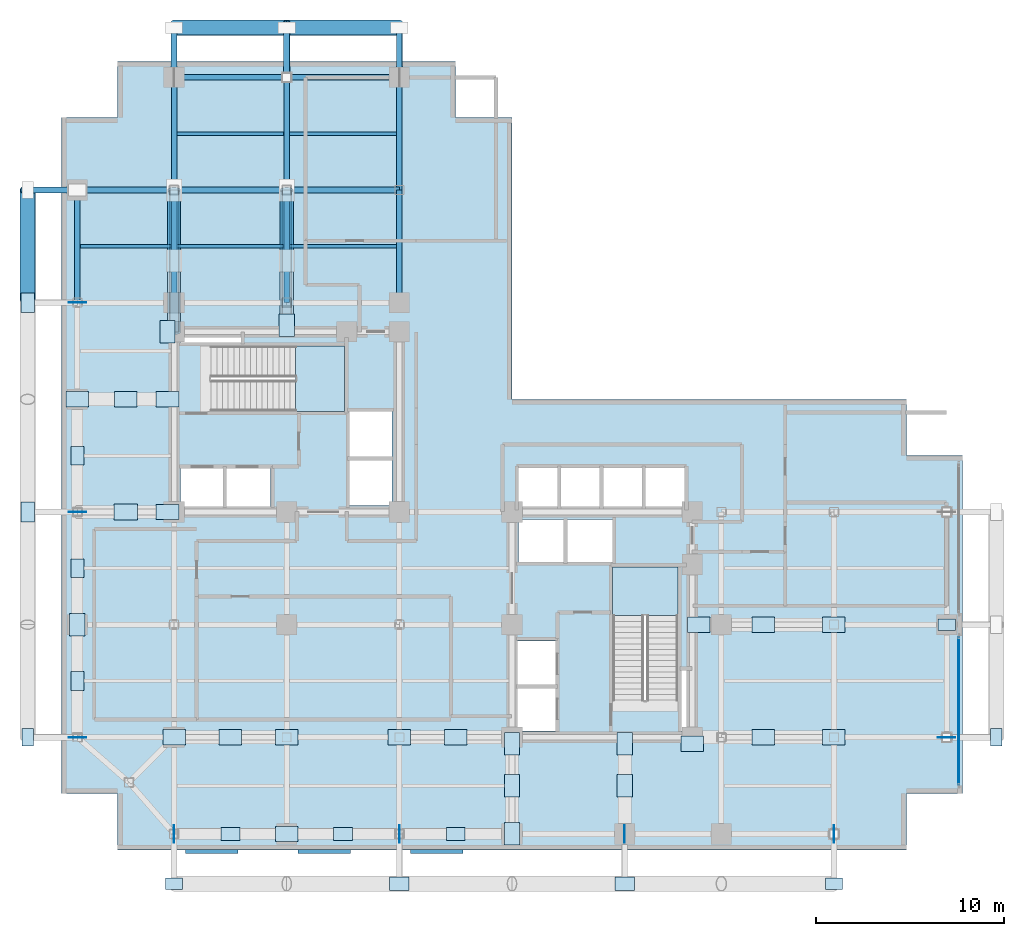
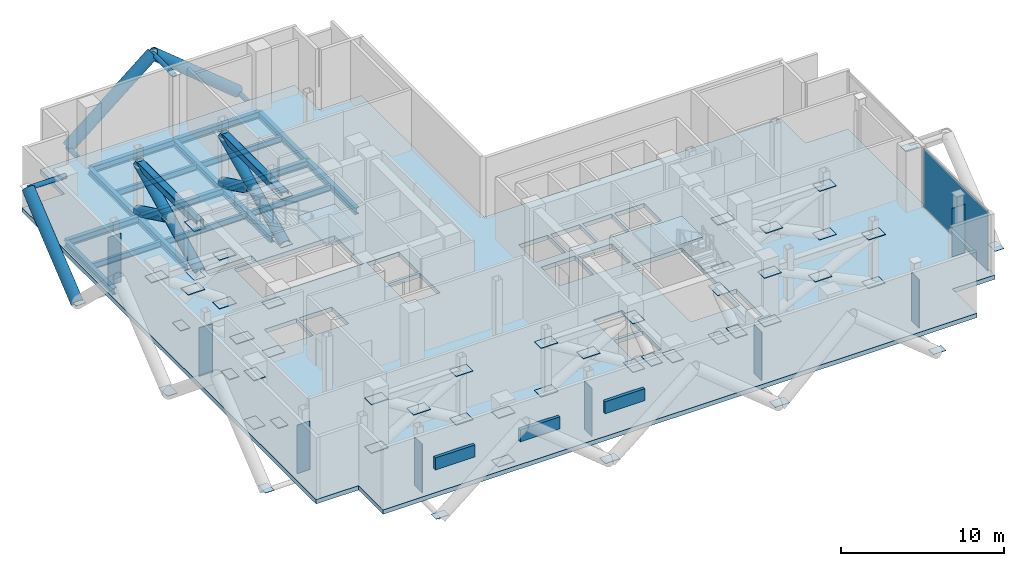
# One storey, part 5 of 9: 67 plates, 17 beams, 13 members, 3 slabs, 3 elements without a shape of their own.
"""IFC4 building model written with IfcOpenShell, lengths in metres."""

from ifc_helpers import new_model, si_unit, direction, frame, origin, origin_2d, place, context, subcontext, project, spatial, polyline, rectangle, hollow_rectangle, hollow_circle, i_section, outline, extrude, material, layer, layer_set, material_profile, profile_set, type_object, element, aggregate, save


model = new_model("IFC4")

# Units and contexts
model_context = context("Model", 3, precision=1e-05, world=origin(), true_north=direction((0.0, 1.0)))
body_context = subcontext(model_context, "Body", "Model", "MODEL_VIEW")
ifc_project = project(units=[si_unit("LENGTHUNIT", "METRE"), si_unit("AREAUNIT", "SQUARE_METRE"), si_unit("VOLUMEUNIT", "CUBIC_METRE"), si_unit("PLANEANGLEUNIT", "RADIAN"), si_unit("MASSUNIT", "GRAM", prefix="KILO"), si_unit("THERMODYNAMICTEMPERATUREUNIT", "KELVIN"), si_unit("POWERUNIT", "WATT")], contexts=[model_context])

# Site, building, storey
site_placement = place(None, origin())
site = spatial("IfcSite", under=ifc_project, at=site_placement, CompositionType="ELEMENT")
building_placement = place(site_placement, origin())
building = spatial("IfcBuilding", under=site, at=building_placement, Name="Svarakhadi Broadcast Tower", CompositionType="ELEMENT")
storey_placement = place(building_placement, frame((0.0, 0.0, 164.39990234375)))
storey = spatial("IfcBuildingStorey", under=building, at=storey_placement, Name="L40", CompositionType="ELEMENT", Elevation=164.39990234375)

# Beams
ifc_material_1 = material(Name="Steel S355J2 (IS 2062 E350C)", Category="steel")
ifc_material_profile_1 = material_profile(ifc_material_1, i_section(OverallWidth=0.18994140625, OverallDepth=0.449951171875, WebThickness=0.009521484375, FlangeThickness=0.0146484375, FilletRadius=0.02099609375, at=origin_2d()), Name="NPB 450x190x78")
ifc_profile_set_1 = profile_set([ifc_material_profile_1], Name="Steel S355J2 (IS 2062 E350C)")
beam_type_1 = type_object("IfcBeamType", Name="Beam_NPB450", PredefinedType="BEAM", material=ifc_profile_set_1)
beam_1_placement = place(storey_placement, frame((1.010009765625, 32.14990234375, -0.5498046875), z_axis=(1.0, 0.0, 0.0), x_axis=(0.0, 1.0, 0.0)))
element("IfcBeam", 1, at=beam_1_placement, inside=storey, type_object=beam_type_1, Name="L40 Secondary Composite Beam SB005", PredefinedType="BEAM", context=body_context, shape_type="SweptSolid", body=[
    extrude(i_section(OverallWidth=0.18994140625, OverallDepth=0.449951171875, WebThickness=0.009521484375, FlangeThickness=0.0146484375, FilletRadius=0.02099609375, at=origin_2d()), origin(), (0.0, 0.0, 1.0), 4.830078125),
])
for number, where, z_axis, x_axis, name in (
    (2, (6.159912109375, 32.14990234375, -0.5498046875), (1.0, 0.0, 0.0), (0.0, 1.0, 0.0), "L40 Secondary Composite Beam SB009"),
    (3, (6.159912109375, 38.14990234375, -0.5498046875), (1.0, 0.0, 0.0), (0.0, 1.0, 0.0), "L40 Secondary Composite Beam SB010"),
    (4, (12.159912109375, 32.14990234375, -0.5498046875), (1.0, 0.0, 0.0), (0.0, 1.0, 0.0), "L40 Secondary Composite Beam SB014"),
    (5, (12.159912109375, 38.14990234375, -0.5498046875), (1.0, 0.0, 0.0), (0.0, 1.0, 0.0), "L40 Secondary Composite Beam SB015"),
):
    element("IfcBeam", number, at=place(storey_placement, frame(where, z_axis=z_axis, x_axis=x_axis)), inside=storey, type_object=beam_type_1, Name=name, PredefinedType="BEAM", context=body_context, shape_type="SweptSolid", body=[
        extrude(i_section(OverallWidth=0.18994140625, OverallDepth=0.449951171875, WebThickness=0.009521484375, FlangeThickness=0.0146484375, FilletRadius=0.02099609375, at=origin_2d()), origin(), (0.0, 0.0, 1.0), 5.68017578125),
    ])

# Members
ifc_material_2 = material(Name="Steel S460ML (IS 2062 E450BR)", Category="steel")
ifc_material_profile_2 = material_profile(ifc_material_2, hollow_circle(Radius=0.406494140625, WallThickness=0.0400390625, at=origin_2d()), Name="CHS 813x40")
ifc_profile_set_2 = profile_set([ifc_material_profile_2], Name="Steel S460ML (IS 2062 E450BR)")
member_type_1 = type_object("IfcMemberType", Name="Exo_Brace_CHS813", PredefinedType="BRACE", material=ifc_profile_set_2)
for number, where, z_axis, x_axis, name in (
    (6, (-1.800048828125, 29.14990234375, -0.48681640625), (0.0, 0.773581307551, 0.633697057439), (-1.0, 0.0, 0.0), "L40 Exposed Bronze Exoskeleton Diagonal W11"),
    (7, (6.0, 43.800048828125, -0.48681640625), (0.773581307551, 0.0, 0.633697057439), (0.0, 1.0, 0.0), "L40 Exposed Bronze Exoskeleton Diagonal N14"),
    (8, (18.0, 43.800048828125, -0.48681640625), (-0.773581307551, 0.0, 0.633697057439), (0.0, -1.0, 0.0), "L40 Exposed Bronze Exoskeleton Diagonal N15"),
):
    element("IfcMember", number, at=place(storey_placement, frame(where, z_axis=z_axis, x_axis=x_axis)), inside=storey, type_object=member_type_1, Name=name, PredefinedType="BRACE", context=body_context, shape_type="SweptSolid", body=[
        extrude(hollow_circle(Radius=0.406494140625, WallThickness=0.0400390625, at=origin_2d()), origin(), (0.0, 0.0, 1.0), 7.756103515625),
    ])
ifc_material_profile_3 = material_profile(ifc_material_2, hollow_circle(Radius=0.161865234375, WallThickness=0.01611328125, at=origin_2d()), Name="CHS 323.9x16")
ifc_profile_set_3 = profile_set([ifc_material_profile_3], Name="Steel S460ML (IS 2062 E450BR)")
member_type_2 = type_object("IfcMemberType", Name="Exo_Radial_Strut_Z2", PredefinedType="STRUT", material=ifc_profile_set_3)
for number, where, z_axis, x_axis, name in (
    (9, (-1.800048828125, 35.14990234375, 4.42822265625), (1.0, 0.0, 0.0), (0.0, 1.0, 0.0), "L40 Exoskeleton Setback Top Radial Tie W05"),
    (10, (6.0, 43.800048828125, -0.48681640625), (0.0, -1.0, 0.0), (1.0, 0.0, 0.0), "L40 Exoskeleton Radial Tie Strut N10"),
    (11, (18.0, 43.800048828125, -0.48681640625), (0.0, -1.0, 0.0), (1.0, 0.0, 0.0), "L40 Exoskeleton Radial Tie Strut N11"),
    (12, (12.0, 43.800048828125, 4.42822265625), (0.0, -1.0, 0.0), (1.0, 0.0, 0.0), "L40 Exoskeleton Setback Top Radial Tie N01"),
):
    element("IfcMember", number, at=place(storey_placement, frame(where, z_axis=z_axis, x_axis=x_axis)), inside=storey, type_object=member_type_2, Name=name, PredefinedType="STRUT", context=body_context, shape_type="SweptSolid", body=[
        extrude(hollow_circle(Radius=0.161865234375, WallThickness=0.01611328125, at=origin_2d()), origin(), (0.0, 0.0, 1.0), 2.650146484375),
    ])

# Beams
ifc_material_profile_4 = material_profile(ifc_material_1, i_section(OverallWidth=0.300048828125, OverallDepth=0.5, WebThickness=0.014404296875, FlangeThickness=0.028076171875, FilletRadius=0.027099609375, at=origin_2d()), Name="WPB 500x300x187")
ifc_profile_set_4 = profile_set([ifc_material_profile_4], Name="Steel S355J2 (IS 2062 E350C)")
beam_type_2 = type_object("IfcBeamType", Name="Girder_WPB500", PredefinedType="USERDEFINED", material=ifc_profile_set_4)
beam_2_placement = place(storey_placement, frame((0.85009765625, 35.14990234375, -0.574951171875), z_axis=(1.0, 0.0, 0.0), x_axis=(0.0, 1.0, 0.0)))
element("IfcBeam", 13, at=beam_2_placement, inside=storey, type_object=beam_type_2, Name="L40 Primary E-W Girder G035", ObjectType="GIRDER", PredefinedType="USERDEFINED", context=body_context, shape_type="SweptSolid", body=[
    extrude(i_section(OverallWidth=0.300048828125, OverallDepth=0.5, WebThickness=0.014404296875, FlangeThickness=0.028076171875, FilletRadius=0.027099609375, at=origin_2d()), origin(), (0.0, 0.0, 1.0), 5.14990234375),
])
for number, where, z_axis, x_axis, name in (
    (14, (6.0, 35.14990234375, -0.574951171875), (1.0, 0.0, 0.0), (0.0, 1.0, 0.0), "L40 Primary E-W Girder G036"),
    (15, (12.0, 35.14990234375, -0.574951171875), (1.0, 0.0, 0.0), (0.0, 1.0, 0.0), "L40 Primary E-W Girder G037"),
    (16, (6.0, 41.14990234375, -0.574951171875), (1.0, 0.0, 0.0), (0.0, 1.0, 0.0), "L40 Primary E-W Girder G038"),
    (17, (12.0, 41.14990234375, -0.574951171875), (1.0, 0.0, 0.0), (0.0, 1.0, 0.0), "L40 Primary E-W Girder G039"),
    (18, (0.85009765625, 29.14990234375, -0.574951171875), (0.0, 1.0, 0.0), (-1.0, 0.0, 0.0), "L40 Primary N-S Girder G044"),
    (19, (6.0, 29.14990234375, -0.574951171875), (0.0, 1.0, 0.0), (-1.0, 0.0, 0.0), "L40 Primary N-S Girder G049"),
    (20, (6.0, 35.14990234375, -0.574951171875), (0.0, 1.0, 0.0), (-1.0, 0.0, 0.0), "L40 Primary N-S Girder G050"),
    (21, (12.0, 29.14990234375, -0.574951171875), (0.0, 1.0, 0.0), (-1.0, 0.0, 0.0), "L40 Primary N-S Girder G054"),
    (22, (12.0, 35.14990234375, -0.574951171875), (0.0, 1.0, 0.0), (-1.0, 0.0, 0.0), "L40 Primary N-S Girder G055"),
    (23, (18.0, 29.14990234375, -0.574951171875), (0.0, 1.0, 0.0), (-1.0, 0.0, 0.0), "L40 Primary N-S Girder G060"),
    (24, (18.0, 35.14990234375, -0.574951171875), (0.0, 1.0, 0.0), (-1.0, 0.0, 0.0), "L40 Primary N-S Girder G061"),
):
    element("IfcBeam", number, at=place(storey_placement, frame(where, z_axis=z_axis, x_axis=x_axis)), inside=storey, type_object=beam_type_2, Name=name, ObjectType="GIRDER", PredefinedType="USERDEFINED", context=body_context, shape_type="SweptSolid", body=[
        extrude(i_section(OverallWidth=0.300048828125, OverallDepth=0.5, WebThickness=0.014404296875, FlangeThickness=0.028076171875, FilletRadius=0.027099609375, at=origin_2d()), origin(), (0.0, 0.0, 1.0), 6.0),
    ])

# Members
ifc_material_profile_5 = material_profile(ifc_material_2, hollow_circle(Radius=0.35546875, WallThickness=0.034912109375, at=origin_2d()), Name="CHS 711x35")
ifc_profile_set_5 = profile_set([ifc_material_profile_5], Name="Steel S460ML (IS 2062 E450BR)")
member_type_3 = type_object("IfcMemberType", Name="Outrigger_Brace_OT01", PredefinedType="BRACE", material=ifc_profile_set_5)
member_1_placement = place(storey_placement, frame((6.0, 27.60009765625, 0.0), z_axis=(0.0, 0.900766239544, 0.434304250149), x_axis=(-1.0, 0.0, 0.0)))
element("IfcMember", 25, at=member_1_placement, inside=storey, type_object=member_type_3, Name="L40 Core-to-Perimeter Outrigger Truss Diagonal OT-03A", PredefinedType="BRACE", context=body_context, shape_type="SweptSolid", body=[
    extrude(hollow_circle(Radius=0.35546875, WallThickness=0.034912109375, at=origin_2d()), origin(), (0.0, 0.0, 1.0), 8.381591796875),
])
member_2_placement = place(storey_placement, frame((6.0, 35.14990234375, 0.0), z_axis=(0.0, -0.900751782249, 0.434334233943), x_axis=(1.0, 0.0, 0.0)))
element("IfcMember", 26, at=member_2_placement, inside=storey, type_object=member_type_3, Name="L40 Core-to-Perimeter Outrigger Truss Diagonal OT-03B1", PredefinedType="BRACE", context=body_context, shape_type="SweptSolid", body=[
    extrude(hollow_circle(Radius=0.35546875, WallThickness=0.034912109375, at=origin_2d()), origin(), (0.0, 0.0, 1.0), 3.835205078125),
])
member_3_placement = place(storey_placement, frame((12.0, 27.60009765625, 0.0), z_axis=(0.0, 0.900766239544, 0.434304250149), x_axis=(-1.0, 0.0, 0.0)))
element("IfcMember", 27, at=member_3_placement, inside=storey, type_object=member_type_3, Name="L40 Core-to-Perimeter Outrigger Truss Diagonal OT-04A", PredefinedType="BRACE", context=body_context, shape_type="SweptSolid", body=[
    extrude(hollow_circle(Radius=0.35546875, WallThickness=0.034912109375, at=origin_2d()), origin(), (0.0, 0.0, 1.0), 8.381591796875),
])
member_4_placement = place(storey_placement, frame((12.0, 35.14990234375, 0.0), z_axis=(0.0, -0.900751782249, 0.434334233943), x_axis=(1.0, 0.0, 0.0)))
element("IfcMember", 28, at=member_4_placement, inside=storey, type_object=member_type_3, Name="L40 Core-to-Perimeter Outrigger Truss Diagonal OT-04B1", PredefinedType="BRACE", context=body_context, shape_type="SweptSolid", body=[
    extrude(hollow_circle(Radius=0.35546875, WallThickness=0.034912109375, at=origin_2d()), origin(), (0.0, 0.0, 1.0), 3.835205078125),
])
ifc_material_profile_6 = material_profile(ifc_material_2, hollow_rectangle(XDim=0.5, YDim=0.5, WallThickness=0.02490234375, InnerFilletRadius=0.02490234375, OuterFilletRadius=0.0400390625, at=origin_2d()), Name="SHS 500x500x25")
ifc_profile_set_6 = profile_set([ifc_material_profile_6], Name="Steel S460ML (IS 2062 E450BR)")
member_type_4 = type_object("IfcMemberType", Name="Outrigger_Truss_Chord", PredefinedType="CHORD", material=ifc_profile_set_6)
for number, where, z_axis, x_axis, name in (
    (29, (6.0, 27.60009765625, 3.64013671875), (0.0, 1.0, 0.0), (-1.0, 0.0, 0.0), "L40 Outrigger Truss Top Chord OC-03"),
    (30, (12.0, 27.60009765625, 3.64013671875), (0.0, 1.0, 0.0), (-1.0, 0.0, 0.0), "L40 Outrigger Truss Top Chord OC-04"),
):
    element("IfcMember", number, at=place(storey_placement, frame(where, z_axis=z_axis, x_axis=x_axis)), inside=storey, type_object=member_type_4, Name=name, PredefinedType="CHORD", context=body_context, shape_type="SweptSolid", body=[
        extrude(hollow_rectangle(XDim=0.5, YDim=0.5, WallThickness=0.02490234375, InnerFilletRadius=0.02490234375, OuterFilletRadius=0.0400390625, at=origin_2d()), origin(), (0.0, 0.0, 1.0), 7.5498046875),
    ])

# Plates
ifc_layer_1 = layer(ifc_material_2, 0.030029296875)
ifc_layer_set_1 = layer_set([ifc_layer_1], Name="Steel S460ML (IS 2062 E450BR)")
plate_type_1 = type_object("IfcPlateType", Name="Belt_Node_BN01", PredefinedType="SHEET", material=ifc_layer_set_1)
for number, where, z_axis, x_axis, name in (
    (31, (9.0, 0.85009765625, 1.80517578125), (0.0, 0.0, 1.0), (1.0, 0.0, 0.0), "L40 Belt Truss Node Gusset Plate BN-01-01"),
    (32, (15.0, 0.85009765625, 1.80517578125), (0.0, 0.0, 1.0), (1.0, 0.0, 0.0), "L40 Belt Truss Node Gusset Plate BN-01-02"),
    (33, (21.0, 0.85009765625, 1.80517578125), (0.0, 0.0, 1.0), (1.0, 0.0, 0.0), "L40 Belt Truss Node Gusset Plate BN-01-03"),
    (34, (0.85009765625, 9.0, 1.80517578125), (0.0, 0.0, 1.0), (0.0, 1.0, 0.0), "L40 Belt Truss Node Gusset Plate BN-01-04"),
    (35, (0.85009765625, 15.0, 1.80517578125), (0.0, 0.0, 1.0), (0.0, 1.0, 0.0), "L40 Belt Truss Node Gusset Plate BN-01-05"),
    (36, (0.85009765625, 21.0, 1.80517578125), (0.0, 0.0, 1.0), (0.0, 1.0, 0.0), "L40 Belt Truss Node Gusset Plate BN-01-06"),
):
    element("IfcPlate", number, at=place(storey_placement, frame(where, z_axis=z_axis, x_axis=x_axis)), inside=storey, type_object=plate_type_1, Name=name, PredefinedType="SHEET", context=body_context, shape_type="SweptSolid", body=[
        extrude(rectangle(XDim=1.0, YDim=0.679931640625, at=origin_2d()), origin(), (0.0, 0.0, 1.0), 0.030029296875),
    ])

# Curtain wall, plate
ifc_material_3 = material(Name="Anodised Bronze Aluminium AA 6063-T6", Category="aluminium")
ifc_layer_2 = layer(ifc_material_3, 0.260009765625)
ifc_layer_set_2 = layer_set([ifc_layer_2], Name="Anodised Bronze Aluminium AA 6063-T6")
curtain_wall_type = type_object("IfcCurtainWallType", Name="CW_Sys_07", PredefinedType="NOTDEFINED", material=ifc_layer_set_2)
curtain_wall_placement = place(storey_placement, origin())
curtain_wall = element("IfcCurtainWall", 37, at=curtain_wall_placement, inside=storey, type_object=curtain_wall_type, Name="L40 East Plant Daylighting Curtain Wall CW-07 Bay 2", PredefinedType="NOTDEFINED")
ifc_material_4 = material(Name="Triple Laminated Solar-Control Crown Glass 42 mm", Category="glass")
ifc_layer_3 = layer(ifc_material_4, 0.0419921875)
ifc_layer_set_3 = layer_set([ifc_layer_3], Name="Triple Laminated Solar-Control Crown Glass 42 mm")
plate_type_2 = type_object("IfcPlateType", Name="CW_Sys_07_Pnl", PredefinedType="CURTAIN_PANEL", material=ifc_layer_set_3)
plate_1_placement = place(storey_placement, frame((47.800048828125, 7.409912109375, 0.09033203125), z_axis=(0.0, 0.0, 1.0), x_axis=(0.0, -1.0, 0.0)))
plate_1 = element("IfcPlate", 38, at=plate_1_placement, type_object=plate_type_2, Name="CW-07 panel 1.1", PredefinedType="CURTAIN_PANEL", context=body_context, shape_type="SweptSolid", body=[
    extrude(rectangle(XDim=7.860107421875, YDim=0.0419921875, at=origin_2d()), origin(), (0.0, 0.0, 1.0), 4.409912109375),
])
aggregate(curtain_wall, [plate_1])

# Plates
ifc_layer_4 = layer(ifc_material_3, 0.89990234375)
ifc_layer_set_4 = layer_set([ifc_layer_4], Name="Anodised Bronze Aluminium AA 6063-T6")
plate_type_3 = type_object("IfcPlateType", Name="Louvre_Bronze_LV01", PredefinedType="USERDEFINED", material=ifc_layer_set_4)
for number, where, z_axis, x_axis, name in (
    (39, (8.0, -0.080078125, 1.84521484375), (0.0, 0.0, 1.0), (1.0, 0.0, 0.0), "L40 Acoustic Monsoon Intake Louvre LV-01-1"),
    (40, (14.0, -0.080078125, 1.84521484375), (0.0, 0.0, 1.0), (1.0, 0.0, 0.0), "L40 Acoustic Monsoon Intake Louvre LV-01-2"),
    (41, (20.0, -0.080078125, 1.84521484375), (0.0, 0.0, 1.0), (1.0, 0.0, 0.0), "L40 Acoustic Monsoon Intake Louvre LV-01-3"),
):
    element("IfcPlate", number, at=place(storey_placement, frame(where, z_axis=z_axis, x_axis=x_axis)), inside=storey, type_object=plate_type_3, Name=name, ObjectType="LOUVRE", PredefinedType="USERDEFINED", context=body_context, shape_type="SweptSolid", body=[
        extrude(rectangle(XDim=2.800048828125, YDim=0.219970703125, at=origin_2d()), origin(), (0.0, 0.0, 1.0), 0.89990234375),
    ])
ifc_layer_5 = layer(ifc_material_2, 0.031982421875)
ifc_layer_set_5 = layer_set([ifc_layer_5], Name="Steel S460ML (IS 2062 E450BR)")
plate_type_4 = type_object("IfcPlateType", Name="Node_Gusset_N02", PredefinedType="SHEET", material=ifc_layer_set_5)
for number, where, z_axis, x_axis, name in (
    (42, (18.0, -1.800048828125, -0.32470703125), (0.0, 0.0, 1.0), (1.0, 0.0, 0.0), "L40 Exoskeleton Gusset Node Plate S02"),
    (43, (30.0, -1.800048828125, -0.32470703125), (0.0, 0.0, 1.0), (1.0, 0.0, 0.0), "L40 Exoskeleton Gusset Node Plate S03"),
    (44, (-1.800048828125, 18.0, -0.32470703125), (0.0, 0.0, 1.0), (0.0, 1.0, 0.0), "L40 Exoskeleton Gusset Node Plate W06"),
    (45, (-1.800048828125, 29.14990234375, -0.32470703125), (0.0, 0.0, 1.0), (0.0, 1.0, 0.0), "L40 Exoskeleton Gusset Node Plate W07"),
):
    element("IfcPlate", number, at=place(storey_placement, frame(where, z_axis=z_axis, x_axis=x_axis)), inside=storey, type_object=plate_type_4, Name=name, PredefinedType="SHEET", context=body_context, shape_type="SweptSolid", body=[
        extrude(rectangle(XDim=1.050048828125, YDim=0.719970703125, at=origin_2d()), origin(), (0.0, 0.0, 1.0), 0.031982421875),
    ])
ifc_layer_6 = layer(ifc_material_2, 0.0400390625)
ifc_layer_set_6 = layer_set([ifc_layer_6], Name="Steel S460ML (IS 2062 E450BR)")
plate_type_5 = type_object("IfcPlateType", Name="Node_Gusset_N04", PredefinedType="SHEET", material=ifc_layer_set_6)
plate_2_placement = place(storey_placement, frame((3.425048828125, 18.0, 1.800048828125), z_axis=(0.0, 0.0, 1.0), x_axis=(1.0, 0.0, 0.0)))
element("IfcPlate", 46, at=plate_2_placement, inside=storey, type_object=plate_type_5, Name="L40 Outrigger Truss Crossing Gusset Plate N-04-01", PredefinedType="SHEET", context=body_context, shape_type="SweptSolid", body=[
    extrude(rectangle(XDim=1.25, YDim=0.85009765625, at=origin_2d()), origin(), (0.0, 0.0, 1.0), 0.0400390625),
])
ifc_layer_7 = layer(ifc_material_2, 0.02587890625)
ifc_layer_set_7 = layer_set([ifc_layer_7], Name="Steel S460ML (IS 2062 E450BR)")
plate_type_6 = type_object("IfcPlateType", Name="Node_Gusset_N07", PredefinedType="SHEET", material=ifc_layer_set_7)
for number, where, z_axis, x_axis, name in (
    (47, (6.0, -1.800048828125, -0.324951171875), (0.0, 0.0, 1.0), (1.0, 0.0, 0.0), "L40 Exoskeleton Gusset Node Plate S01"),
    (48, (41.14990234375, -1.800048828125, -0.324951171875), (0.0, 0.0, 1.0), (1.0, 0.0, 0.0), "L40 Exoskeleton Gusset Node Plate S04"),
    (49, (-1.800048828125, 6.0, -0.324951171875), (0.0, 0.0, 1.0), (0.0, 1.0, 0.0), "L40 Exoskeleton Gusset Node Plate W05"),
    (50, (49.800048828125, 6.0, -0.324951171875), (0.0, 0.0, 1.0), (0.0, 1.0, 0.0), "L40 Exoskeleton Gusset Node Plate E08"),
):
    element("IfcPlate", number, at=place(storey_placement, frame(where, z_axis=z_axis, x_axis=x_axis)), inside=storey, type_object=plate_type_6, Name=name, PredefinedType="SHEET", context=body_context, shape_type="SweptSolid", body=[
        extrude(rectangle(XDim=0.919921875, YDim=0.6201171875, at=origin_2d()), origin(), (0.0, 0.0, 1.0), 0.02587890625),
    ])
for number, where, z_axis, x_axis, name in (
    (51, (6.0, 0.85009765625, -0.68701171875), (0.0, 0.0, 1.0), (0.0, 1.0, 0.0), "L40 Brace End Connection Gusset Plate N-07-E0327"),
    (52, (18.0, 0.85009765625, -0.68701171875), (0.0, 0.0, 1.0), (0.0, 1.0, 0.0), "L40 Brace End Connection Gusset Plate N-07-E0328"),
    (53, (30.0, 0.85009765625, -0.68701171875), (0.0, 0.0, 1.0), (0.0, 1.0, 0.0), "L40 Brace End Connection Gusset Plate N-07-E0329"),
    (54, (41.14990234375, 0.85009765625, -0.68701171875), (0.0, 0.0, 1.0), (0.0, 1.0, 0.0), "L40 Brace End Connection Gusset Plate N-07-E0330"),
    (55, (0.85009765625, 6.0, -0.68701171875), (0.0, 0.0, 1.0), (1.0, 0.0, 0.0), "L40 Brace End Connection Gusset Plate N-07-E0331"),
    (56, (0.85009765625, 18.0, -0.68701171875), (0.0, 0.0, 1.0), (1.0, 0.0, 0.0), "L40 Brace End Connection Gusset Plate N-07-E0332"),
    (57, (0.85009765625, 29.14990234375, -0.68701171875), (0.0, 0.0, 1.0), (1.0, 0.0, 0.0), "L40 Brace End Connection Gusset Plate N-07-E0333"),
    (58, (47.14990234375, 6.0, -0.68701171875), (0.0, 0.0, 1.0), (1.0, 0.0, 0.0), "L40 Brace End Connection Gusset Plate N-07-E0336"),
):
    element("IfcPlate", number, at=place(storey_placement, frame(where, z_axis=z_axis, x_axis=x_axis)), inside=storey, type_object=plate_type_6, Name=name, PredefinedType="SHEET", context=body_context, shape_type="SweptSolid", body=[
        extrude(rectangle(XDim=0.919921875, YDim=0.02587890625, at=origin_2d()), origin(), (0.0, 0.0, 1.0), 4.300048828125),
    ])
plate_3_placement = place(storey_placement, frame((47.14990234375, 12.0, 4.4150390625), z_axis=(0.0, 0.0, 1.0), x_axis=(1.0, 0.0, 0.0)))
element("IfcPlate", 59, at=plate_3_placement, inside=storey, type_object=plate_type_6, Name="L40 Brace End Connection Gusset Plate N-07-E0339", PredefinedType="SHEET", context=body_context, shape_type="SweptSolid", body=[
    extrude(rectangle(XDim=0.919921875, YDim=0.6201171875, at=origin_2d()), origin(), (0.0, 0.0, 1.0), 0.02587890625),
])
ifc_layer_8 = layer(ifc_material_2, 0.0380859375)
ifc_layer_set_8 = layer_set([ifc_layer_8], Name="Steel S460ML (IS 2062 E450BR)")
plate_type_7 = type_object("IfcPlateType", Name="Outrigger_Node_ON02", PredefinedType="SHEET", material=ifc_layer_set_8)
for number, where, z_axis, x_axis, name in (
    (60, (3.425048828125, 24.0, 1.801025390625), (0.0, 0.0, 1.0), (1.0, 0.0, 0.0), "L40 Outrigger Truss Crossing Gusset Plate ON-02-02"),
    (61, (24.0, 3.425048828125, 1.801025390625), (0.0, 0.0, 1.0), (0.0, 1.0, 0.0), "L40 Outrigger Truss Crossing Gusset Plate ON-02-05"),
    (62, (30.0, 3.425048828125, 1.801025390625), (0.0, 0.0, 1.0), (0.0, 1.0, 0.0), "L40 Outrigger Truss Crossing Gusset Plate ON-02-06"),
    (63, (37.375, 6.0, 1.801025390625), (0.0, 0.0, 1.0), (1.0, 0.0, 0.0), "L40 Outrigger Truss Crossing Gusset Plate ON-02-07"),
    (64, (37.375, 12.0, 1.801025390625), (0.0, 0.0, 1.0), (1.0, 0.0, 0.0), "L40 Outrigger Truss Crossing Gusset Plate ON-02-08"),
    (65, (21.0, 6.0, 1.801025390625), (0.0, 0.0, 1.0), (1.0, 0.0, 0.0), "L40 Outrigger Truss Crossing Gusset Plate ON-02-09"),
    (66, (9.0, 6.0, 1.801025390625), (0.0, 0.0, 1.0), (1.0, 0.0, 0.0), "L40 Outrigger Truss Crossing Gusset Plate ON-02-10"),
    (67, (5.64990234375, 18.0, -0.01904296875), (0.0, 0.0, 1.0), (1.0, 0.0, 0.0), "L40 Brace End Connection Gusset Plate ON-02-E0643"),
    (68, (5.64990234375, 18.0, 3.62109375), (0.0, 0.0, 1.0), (1.0, 0.0, 0.0), "L40 Brace End Connection Gusset Plate ON-02-E0644"),
    (69, (5.64990234375, 24.0, -0.01904296875), (0.0, 0.0, 1.0), (1.0, 0.0, 0.0), "L40 Brace End Connection Gusset Plate ON-02-E0645"),
    (70, (0.85009765625, 24.0, 3.62109375), (0.0, 0.0, 1.0), (1.0, 0.0, 0.0), "L40 Brace End Connection Gusset Plate ON-02-E0646"),
    (71, (5.64990234375, 24.0, 3.62109375), (0.0, 0.0, 1.0), (1.0, 0.0, 0.0), "L40 Brace End Connection Gusset Plate ON-02-E0647"),
    (72, (5.64990234375, 27.60009765625, -0.01904296875), (0.0, 0.0, 1.0), (0.0, 1.0, 0.0), "L40 Brace End Connection Gusset Plate ON-02-E0648"),
    (73, (5.64990234375, 27.60009765625, 3.62109375), (0.0, 0.0, 1.0), (0.0, 1.0, 0.0), "L40 Brace End Connection Gusset Plate ON-02-E0651"),
    (74, (12.0, 27.949951171875, -0.01904296875), (0.0, 0.0, 1.0), (0.0, 1.0, 0.0), "L40 Brace End Connection Gusset Plate ON-02-E0652"),
    (75, (12.0, 27.949951171875, 3.62109375), (0.0, 0.0, 1.0), (0.0, 1.0, 0.0), "L40 Brace End Connection Gusset Plate ON-02-E0655"),
    (76, (24.0, 5.64990234375, -0.01904296875), (0.0, 0.0, 1.0), (0.0, 1.0, 0.0), "L40 Brace End Connection Gusset Plate ON-02-E0656"),
    (77, (24.0, 0.85009765625, 3.62109375), (0.0, 0.0, 1.0), (0.0, 1.0, 0.0), "L40 Brace End Connection Gusset Plate ON-02-E0657"),
    (78, (24.0, 5.64990234375, 3.62109375), (0.0, 0.0, 1.0), (0.0, 1.0, 0.0), "L40 Brace End Connection Gusset Plate ON-02-E0658"),
    (79, (30.0, 5.64990234375, -0.01904296875), (0.0, 0.0, 1.0), (0.0, 1.0, 0.0), "L40 Brace End Connection Gusset Plate ON-02-E0659"),
    (80, (30.0, 5.64990234375, 3.62109375), (0.0, 0.0, 1.0), (0.0, 1.0, 0.0), "L40 Brace End Connection Gusset Plate ON-02-E0660"),
    (81, (33.60009765625, 5.64990234375, -0.01904296875), (0.0, 0.0, 1.0), (1.0, 0.0, 0.0), "L40 Brace End Connection Gusset Plate ON-02-E0661"),
    (82, (41.14990234375, 6.0, 3.62109375), (0.0, 0.0, 1.0), (1.0, 0.0, 0.0), "L40 Brace End Connection Gusset Plate ON-02-E0662"),
    (83, (41.14990234375, 6.0, -0.01904296875), (0.0, 0.0, 1.0), (1.0, 0.0, 0.0), "L40 Brace End Connection Gusset Plate ON-02-E0663"),
    (84, (33.60009765625, 5.64990234375, 3.62109375), (0.0, 0.0, 1.0), (1.0, 0.0, 0.0), "L40 Brace End Connection Gusset Plate ON-02-E0664"),
    (85, (33.949951171875, 12.0, -0.01904296875), (0.0, 0.0, 1.0), (1.0, 0.0, 0.0), "L40 Brace End Connection Gusset Plate ON-02-E0665"),
    (86, (41.14990234375, 12.0, 3.62109375), (0.0, 0.0, 1.0), (1.0, 0.0, 0.0), "L40 Brace End Connection Gusset Plate ON-02-E0666"),
    (87, (41.14990234375, 12.0, -0.01904296875), (0.0, 0.0, 1.0), (1.0, 0.0, 0.0), "L40 Brace End Connection Gusset Plate ON-02-E0667"),
    (88, (33.949951171875, 12.0, 3.62109375), (0.0, 0.0, 1.0), (1.0, 0.0, 0.0), "L40 Brace End Connection Gusset Plate ON-02-E0668"),
    (89, (18.0, 6.0, -0.01904296875), (0.0, 0.0, 1.0), (1.0, 0.0, 0.0), "L40 Brace End Connection Gusset Plate ON-02-E0669"),
    (90, (18.0, 6.0, 3.62109375), (0.0, 0.0, 1.0), (1.0, 0.0, 0.0), "L40 Brace End Connection Gusset Plate ON-02-E0670"),
    (91, (6.0, 6.0, -0.01904296875), (0.0, 0.0, 1.0), (1.0, 0.0, 0.0), "L40 Brace End Connection Gusset Plate ON-02-E0671"),
    (92, (12.0, 6.0, 3.62109375), (0.0, 0.0, 1.0), (1.0, 0.0, 0.0), "L40 Brace End Connection Gusset Plate ON-02-E0672"),
    (93, (12.0, 6.0, -0.01904296875), (0.0, 0.0, 1.0), (1.0, 0.0, 0.0), "L40 Brace End Connection Gusset Plate ON-02-E0673"),
    (94, (6.0, 6.0, 3.62109375), (0.0, 0.0, 1.0), (1.0, 0.0, 0.0), "L40 Brace End Connection Gusset Plate ON-02-E0674"),
    (95, (12.0, 0.85009765625, 3.62109375), (0.0, 0.0, 1.0), (1.0, 0.0, 0.0), "L40 Brace End Connection Gusset Plate ON-02-E0675"),
    (96, (12.0, 0.85009765625, -0.01904296875), (0.0, 0.0, 1.0), (1.0, 0.0, 0.0), "L40 Brace End Connection Gusset Plate ON-02-E0676"),
    (97, (0.85009765625, 12.0, 3.62109375), (0.0, 0.0, 1.0), (0.0, 1.0, 0.0), "L40 Brace End Connection Gusset Plate ON-02-E0677"),
    (98, (0.85009765625, 12.0, -0.01904296875), (0.0, 0.0, 1.0), (0.0, 1.0, 0.0), "L40 Brace End Connection Gusset Plate ON-02-E0678"),
):
    element("IfcPlate", number, at=place(storey_placement, frame(where, z_axis=z_axis, x_axis=x_axis)), inside=storey, type_object=plate_type_7, Name=name, PredefinedType="SHEET", context=body_context, shape_type="SweptSolid", body=[
        extrude(rectangle(XDim=1.199951171875, YDim=0.820068359375, at=origin_2d()), origin(), (0.0, 0.0, 1.0), 0.0380859375),
    ])

# Slab
ifc_material_5 = material(Name="Concrete C50/60 (IS 456 M60)", Category="concrete")
ifc_layer_9 = layer(ifc_material_5, 0.324951171875)
ifc_layer_set_9 = layer_set([ifc_layer_9], Name="Concrete C50/60 (IS 456 M60)")
slab_type_1 = type_object("IfcSlabType", Name="Slab_Floor_325", PredefinedType="FLOOR", material=ifc_layer_set_9)
slab_1_placement = place(storey_placement, frame((0.0, 0.0, -0.324951171875)))
element("IfcSlab", 99, at=slab_1_placement, inside=storey, type_object=slab_type_1, Name="L40 Structural Floor Slab", PredefinedType="FLOOR", context=body_context, shape_type="SweptSolid", body=[
    extrude(outline(polyline([(3.0, 0.0), (45.0, 0.0), (45.0, 3.0), (48.0, 3.0), (48.0, 21.0), (45.0, 21.0), (45.0, 24.0), (24.0, 24.0), (24.0, 39.0), (21.0, 39.0), (21.0, 42.0), (3.0, 42.0), (3.0, 39.0), (0.0, 39.0), (0.0, 3.0), (3.0, 3.0), (3.0, 0.0)]), holes=[polyline([(7.97998046875, 23.360107421875), (15.080078125, 23.360107421875), (15.080078125, 26.840087890625), (7.97998046875, 26.840087890625), (7.97998046875, 23.360107421875)]), polyline([(32.840087890625, 7.97998046875), (32.840087890625, 15.080078125), (29.360107421875, 15.080078125), (29.360107421875, 7.97998046875), (32.840087890625, 7.97998046875)]), polyline([(6.340087890625, 18.2900390625), (8.610107421875, 18.2900390625), (8.610107421875, 20.330078125), (6.340087890625, 20.330078125), (6.340087890625, 18.2900390625)]), polyline([(8.7900390625, 18.2900390625), (11.1298828125, 18.2900390625), (11.1298828125, 20.330078125), (8.7900390625, 20.330078125), (8.7900390625, 18.2900390625)]), polyline([(24.2900390625, 6.340087890625), (26.330078125, 6.340087890625), (26.330078125, 8.610107421875), (24.2900390625, 8.610107421875), (24.2900390625, 6.340087890625)]), polyline([(24.2900390625, 8.7900390625), (26.330078125, 8.7900390625), (26.330078125, 11.1298828125), (24.2900390625, 11.1298828125), (24.2900390625, 8.7900390625)]), polyline([(6.340087890625, 26.989990234375), (9.610107421875, 26.989990234375), (9.610107421875, 27.530029296875), (6.340087890625, 27.530029296875), (6.340087890625, 26.989990234375)]), polyline([(32.989990234375, 6.340087890625), (33.530029296875, 6.340087890625), (33.530029296875, 9.610107421875), (32.989990234375, 9.610107421875), (32.989990234375, 6.340087890625)]), polyline([(15.340087890625, 18.340087890625), (17.610107421875, 18.340087890625), (17.610107421875, 20.760009765625), (15.340087890625, 20.760009765625), (15.340087890625, 18.340087890625)]), polyline([(15.340087890625, 20.93994140625), (17.610107421875, 20.93994140625), (17.610107421875, 23.360107421875), (15.340087890625, 23.360107421875), (15.340087890625, 20.93994140625)]), polyline([(24.340087890625, 15.340087890625), (26.760009765625, 15.340087890625), (26.760009765625, 17.610107421875), (24.340087890625, 17.610107421875), (24.340087890625, 15.340087890625)]), polyline([(26.93994140625, 15.340087890625), (29.360107421875, 15.340087890625), (29.360107421875, 17.610107421875), (26.93994140625, 17.610107421875), (26.93994140625, 15.340087890625)]), polyline([(24.340087890625, 18.239990234375), (26.429931640625, 18.239990234375), (26.429931640625, 20.360107421875), (24.340087890625, 20.360107421875), (24.340087890625, 18.239990234375)]), polyline([(26.610107421875, 18.239990234375), (28.679931640625, 18.239990234375), (28.679931640625, 20.360107421875), (26.610107421875, 20.360107421875), (26.610107421875, 18.239990234375)]), polyline([(28.860107421875, 18.239990234375), (30.929931640625, 18.239990234375), (30.929931640625, 20.360107421875), (28.860107421875, 20.360107421875), (28.860107421875, 18.239990234375)]), polyline([(31.110107421875, 18.239990234375), (33.2099609375, 18.239990234375), (33.2099609375, 20.360107421875), (31.110107421875, 20.360107421875), (31.110107421875, 18.239990234375)])]), origin(), (0.0, 0.0, 1.0), 0.324951171875),
])

# Stair, slab
ifc_material_6 = material(Name="Concrete C40/50 (IS 456 M50)", Category="concrete")
stair_type = type_object("IfcStairType", Name="Stair_Exit_Core", PredefinedType="HALF_TURN_STAIR", material=ifc_material_6)
stair_1_placement = place(storey_placement, origin())
stair_1 = element("IfcStair", 100, at=stair_1_placement, inside=storey, type_object=stair_type, Name="L40 West Core Protected Exit Stair ST-01", PredefinedType="HALF_TURN_STAIR")
ifc_layer_10 = layer(ifc_material_6, 0.199951171875)
ifc_layer_set_10 = layer_set([ifc_layer_10], Name="Concrete C40/50 (IS 456 M50)")
slab_type_2 = type_object("IfcSlabType", Name="Slab_Stair_Land", PredefinedType="LANDING", material=ifc_layer_set_10)
slab_2_placement = place(storey_placement, frame((0.0, 0.0, 2.2001953125)))
slab_2 = element("IfcSlab", 101, at=slab_2_placement, type_object=slab_type_2, Name="ST-01 landing 1", PredefinedType="LANDING", context=body_context, shape_type="SweptSolid", body=[
    extrude(outline(polyline([(12.47998046875, 23.360107421875), (15.080078125, 23.360107421875), (15.080078125, 26.840087890625), (12.47998046875, 26.840087890625), (12.47998046875, 23.360107421875)])), origin(), (0.0, 0.0, 1.0), 0.199951171875),
])
aggregate(stair_1, [slab_2])

stair_2_placement = place(storey_placement, origin())
stair_2 = element("IfcStair", 102, at=stair_2_placement, inside=storey, type_object=stair_type, Name="L40 East Core Protected Exit Stair ST-02", PredefinedType="HALF_TURN_STAIR")
slab_3_placement = place(storey_placement, frame((0.0, 0.0, 2.2001953125)))
slab_3 = element("IfcSlab", 103, at=slab_3_placement, type_object=slab_type_2, Name="ST-02 landing 1", PredefinedType="LANDING", context=body_context, shape_type="SweptSolid", body=[
    extrude(outline(polyline([(32.840087890625, 12.47998046875), (32.840087890625, 15.080078125), (29.360107421875, 15.080078125), (29.360107421875, 12.47998046875), (32.840087890625, 12.47998046875)])), origin(), (0.0, 0.0, 1.0), 0.199951171875),
])
aggregate(stair_2, [slab_3])

save(model, "model.ifc")
